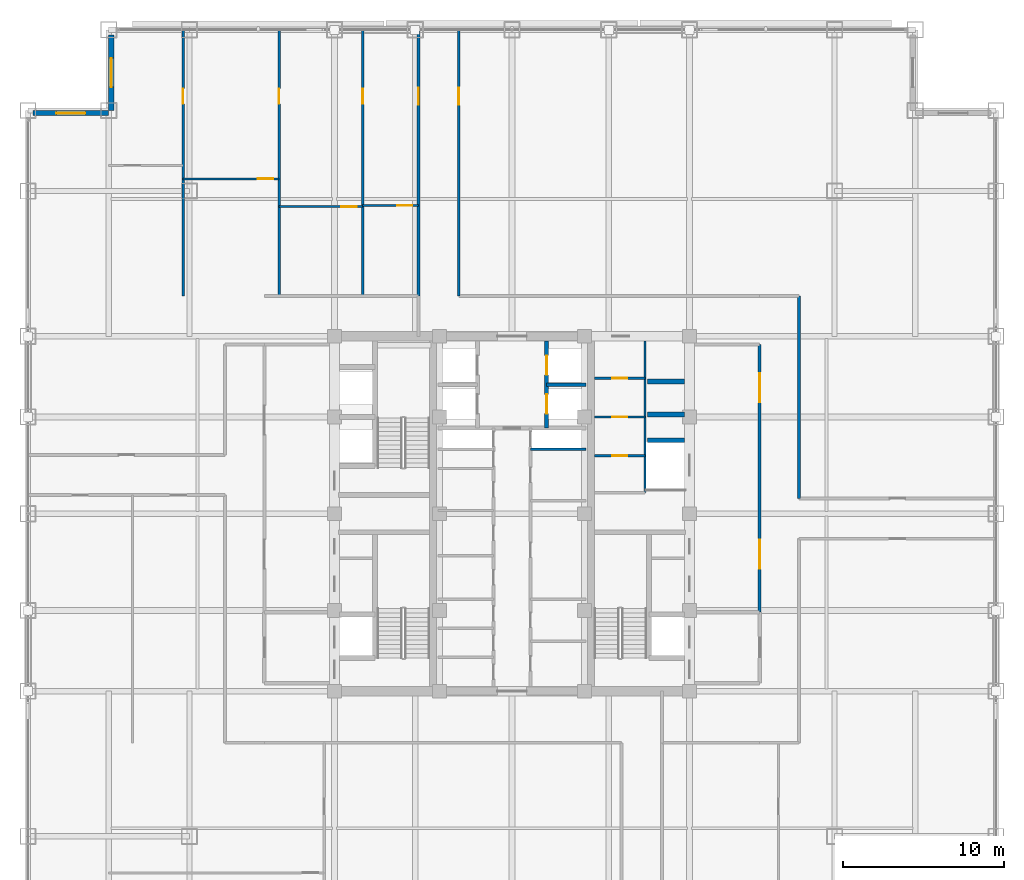
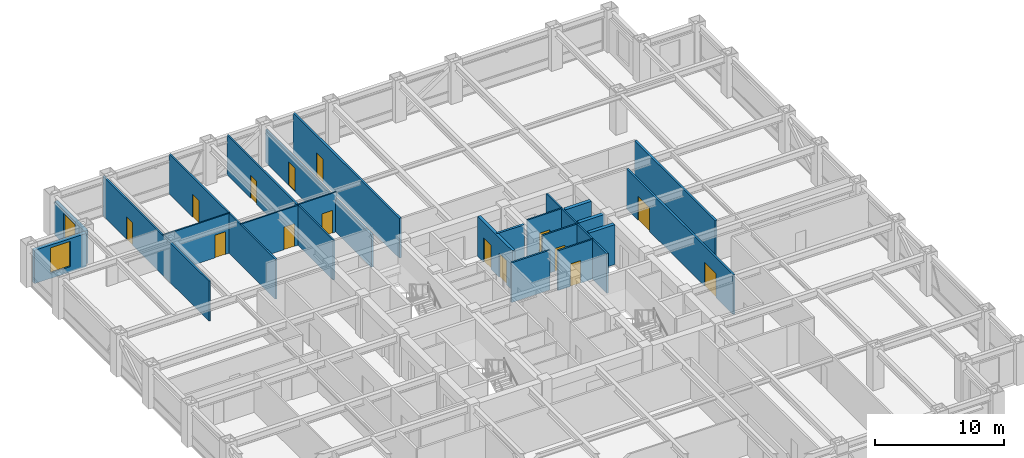
# One storey, part 23 of 29: 22 walls, 15 doors, 2 windows, 17 openings.
"""IFC4 building model written with IfcOpenShell, lengths in metres."""

from ifc_helpers import new_model, si_unit, direction, frame, frame_2d, origin, place, context, subcontext, project, spatial, rectangle, extrude, source, transform, mapped, material, layer, layer_set, type_object, element, fill, save


model = new_model("IFC4")

# Units and contexts
model_context = context("Model", 3, precision=1e-05, world=origin(), true_north=direction((0.0, 1.0)))
body_context = subcontext(model_context, "Body", "Model", "MODEL_VIEW")
ifc_project = project(units=[si_unit("LENGTHUNIT", "METRE"), si_unit("AREAUNIT", "SQUARE_METRE"), si_unit("VOLUMEUNIT", "CUBIC_METRE"), si_unit("PLANEANGLEUNIT", "RADIAN"), si_unit("MASSUNIT", "GRAM", prefix="KILO")], contexts=[model_context])

# Site, building, storey
site_placement = place(None, origin())
site = spatial("IfcSite", under=ifc_project, at=site_placement, CompositionType="ELEMENT")
building_placement = place(site_placement, origin())
building = spatial("IfcBuilding", under=site, at=building_placement, Name="Khorayat Bourse Tower", CompositionType="ELEMENT")
storey_placement = place(building_placement, frame((0.0, 0.0, 243.10009765625)))
storey = spatial("IfcBuildingStorey", under=building, at=storey_placement, Name="L57", CompositionType="ELEMENT", Elevation=243.10009765625)

# Wall, opening, window
ifc_material_1 = material(Name="Precast concrete C45/55", Category="concrete")
ifc_layer_1 = layer(ifc_material_1, 0.320068359375)
ifc_layer_set_1 = layer_set([ifc_layer_1], Name="Precast concrete C45/55")
wall_type_1 = type_object("IfcWallType", Name="WAL-EXT-STONE-320", PredefinedType="STANDARD", material=ifc_layer_set_1)
shared_shape_1 = source(origin(), body_context, "Body", "SweptSolid", [
    extrude(rectangle(XDim=4.679931640625, YDim=0.320068359375, at=frame_2d((2.33984375, 0.0))), origin(), (0.0, 0.0, 1.0), 3.163818359375),
])
wall_1_placement = place(storey_placement, frame((-24.840087890625, 25.0, 0.0), z_axis=(0.0, 0.0, 1.0), x_axis=(0.0, 1.0, 0.0)))
wall_1 = element("IfcWall", 1, at=wall_1_placement, inside=storey, type_object=wall_type_1, Name="L57 Re-Entrant Notch Limestone Wall NW-V", PredefinedType="STANDARD", context=body_context, shape_type="MappedRepresentation", body=[
    mapped(shared_shape_1, transform((0.0, 0.0, 0.0), scale=1.0)),
])
shared_shape_2 = source(origin(), body_context, "Body", "SweptSolid", [
    extrude(rectangle(XDim=1.800048828125, YDim=2.39990234375, at=frame_2d((0.89990234375, 1.199951171875))), frame((0.0, 0.169921875, 0.0), z_axis=(0.0, -1.0, 0.0), x_axis=(1.0, 0.0, 0.0)), (0.0, 0.0, 1.0), 0.340087890625),
])
opening_1_placement = place(wall_1_placement, frame((1.43994140625, 0.0, 0.5)))
opening_1 = element("IfcOpeningElement", 2, at=opening_1_placement, cuts=wall_1, Name="Opening WN-04", PredefinedType="OPENING", context=body_context, shape_type="MappedRepresentation", body=[
    mapped(shared_shape_2, transform((0.0, 0.0, 0.0), scale=1.0)),
])
ifc_material_2 = material(Name="Low-E acoustic laminated double glazing", Category="glass")
window_type = type_object("IfcWindowType", Name="WIN-NOTCH-1800x2400", PartitioningType="SINGLE_PANEL", PredefinedType="WINDOW", material=ifc_material_2)
shared_shape_3 = source(origin(), body_context, "Body", "SweptSolid", [
    extrude(rectangle(XDim=1.800048828125, YDim=2.39990234375, at=frame_2d((0.89990234375, 1.199951171875))), frame((0.0, 0.030029296875, 0.0), z_axis=(0.0, -1.0, 0.0), x_axis=(1.0, 0.0, 0.0)), (0.0, 0.0, 1.0), 0.06005859375),
])
window_1_placement = place(opening_1_placement, origin())
window_1 = element("IfcWindow", 3, at=window_1_placement, inside=storey, type_object=window_type, Name="L57 Facade Window 1", OverallHeight=2.39990234375, OverallWidth=1.800048828125, PartitioningType="SINGLE_PANEL", PredefinedType="WINDOW", context=body_context, shape_type="MappedRepresentation", body=[
    mapped(shared_shape_3, transform((0.0, 0.0, 0.0), scale=1.0)),
])
fill(opening_1, window_1)

wall_2_placement = place(storey_placement, frame((-25.0, 24.840087890625, 0.0), z_axis=(0.0, 0.0, 1.0), x_axis=(-1.0, 0.0, 0.0)))
wall_2 = element("IfcWall", 4, at=wall_2_placement, inside=storey, type_object=wall_type_1, Name="L57 Re-Entrant Notch Limestone Wall NW-H", PredefinedType="STANDARD", context=body_context, shape_type="MappedRepresentation", body=[
    mapped(shared_shape_1, transform((0.0, 0.0, 0.0), scale=1.0)),
])
opening_2_placement = place(wall_2_placement, frame((1.43994140625, 0.0, 0.5)))
opening_2 = element("IfcOpeningElement", 5, at=opening_2_placement, cuts=wall_2, Name="Opening WN-04", PredefinedType="OPENING", context=body_context, shape_type="MappedRepresentation", body=[
    mapped(shared_shape_2, transform((0.0, 0.0, 0.0), scale=1.0)),
])
window_2_placement = place(opening_2_placement, origin())
window_2 = element("IfcWindow", 6, at=window_2_placement, inside=storey, type_object=window_type, Name="L57 Facade Window 1", OverallHeight=2.39990234375, OverallWidth=1.800048828125, PartitioningType="SINGLE_PANEL", PredefinedType="WINDOW", context=body_context, shape_type="MappedRepresentation", body=[
    mapped(shared_shape_3, transform((0.0, 0.0, 0.0), scale=1.0)),
])
fill(opening_2, window_2)

# Walls
ifc_material_3 = material(Name="Concrete C50/60", Category="concrete")
ifc_layer_2 = layer(ifc_material_3, 0.300048828125)
ifc_layer_set_2 = layer_set([ifc_layer_2], Name="Concrete C50/60")
wall_type_2 = type_object("IfcWallType", Name="WAL-SHAFT-300", PredefinedType="SHEAR", material=ifc_layer_set_2)
shared_shape_4 = source(origin(), body_context, "Body", "SweptSolid", [
    extrude(rectangle(XDim=2.300048828125, YDim=0.300048828125, at=frame_2d((1.14990234375, 0.0))), origin(), (0.0, 0.0, 1.0), 3.77978515625),
])
for number, where, z_axis, x_axis, name in (
    (7, (8.39990234375, 4.550048828125, 0.0), (0.0, 0.0, 1.0), (1.0, 0.0, 0.0), "L57 Partition WAL-L57-EPIER-SVLN"),
    (8, (8.39990234375, 6.14990234375, 0.0), (0.0, 0.0, 1.0), (1.0, 0.0, 0.0), "L57 Partition WAL-L57-EPIER-H3S"),
    (9, (8.39990234375, 8.199951171875, 0.0), (0.0, 0.0, 1.0), (1.0, 0.0, 0.0), "L57 Partition WAL-L57-EPIER-H34"),
):
    element("IfcWall", number, at=place(storey_placement, frame(where, z_axis=z_axis, x_axis=x_axis)), inside=storey, type_object=wall_type_2, Name=name, PredefinedType="SHEAR", context=body_context, shape_type="MappedRepresentation", body=[
        mapped(shared_shape_4, transform((0.0, 0.0, 0.0), scale=1.0)),
    ])
ifc_material_4 = material(Name="Moisture-resistant masonry partition", Category="masonry")
ifc_layer_3 = layer(ifc_material_4, 0.139892578125)
ifc_layer_set_3 = layer_set([ifc_layer_3], Name="Moisture-resistant masonry partition")
wall_type_3 = type_object("IfcWallType", Name="WAL-PART-WET-140", PredefinedType="PARTITIONING", material=ifc_layer_set_3)
shared_shape_5 = source(origin(), body_context, "Body", "SweptSolid", [
    extrude(rectangle(XDim=9.39990234375, YDim=0.139892578125, at=frame_2d((4.699951171875, 0.0))), origin(), (0.0, 0.0, 1.0), 3.77978515625),
])
wall_3_placement = place(storey_placement, frame((8.25, 1.300048828125, 0.0), z_axis=(0.0, 0.0, 1.0), x_axis=(0.0, 1.0, 0.0)))
element("IfcWall", 10, at=wall_3_placement, inside=storey, type_object=wall_type_3, Name="L57 Partition WAL-L57-ECORE-E", PredefinedType="PARTITIONING", context=body_context, shape_type="MappedRepresentation", body=[
    mapped(shared_shape_5, transform((0.0, 0.0, 0.0), scale=1.0)),
])

# Wall, opening, door
shared_shape_6 = source(origin(), body_context, "Body", "SweptSolid", [
    extrude(rectangle(XDim=3.14990234375, YDim=0.139892578125, at=frame_2d((1.574951171875, 0.0))), origin(), (0.0, 0.0, 1.0), 3.77978515625),
])
wall_4_placement = place(storey_placement, frame((5.10009765625, 8.39990234375, 0.0), z_axis=(0.0, 0.0, 1.0), x_axis=(1.0, 0.0, 0.0)))
wall_4 = element("IfcWall", 11, at=wall_4_placement, inside=storey, type_object=wall_type_3, Name="L57 Partition WAL-L57-ECW-TOP", PredefinedType="PARTITIONING", context=body_context, shape_type="MappedRepresentation", body=[
    mapped(shared_shape_6, transform((0.0, 0.0, 0.0), scale=1.0)),
])
shared_shape_7 = source(origin(), body_context, "Body", "SweptSolid", [
    extrude(rectangle(XDim=0.89990234375, YDim=2.14990234375, at=frame_2d((0.449951171875, 1.074951171875))), frame((0.0, 0.079833984375, 0.0), z_axis=(0.0, -1.0, 0.0), x_axis=(1.0, 0.0, 0.0)), (0.0, 0.0, 1.0), 0.159912109375),
])
opening_3_placement = place(wall_4_placement, frame((1.1298828125, 0.0, 0.0)))
opening_3 = element("IfcOpeningElement", 12, at=opening_3_placement, cuts=wall_4, Name="Opening DI-06", PredefinedType="OPENING", context=body_context, shape_type="MappedRepresentation", body=[
    mapped(shared_shape_7, transform((0.0, 0.0, 0.0), scale=1.0)),
])
ifc_material_5 = material(Name="Moisture-resistant laminate washroom door")
door_type_1 = type_object("IfcDoorType", Name="DR-INT-WC-900", OperationType="NOTDEFINED", PredefinedType="DOOR", material=ifc_material_5)
shared_shape_8 = source(origin(), body_context, "Body", "SweptSolid", [
    extrude(rectangle(XDim=0.89990234375, YDim=2.14990234375, at=frame_2d((0.449951171875, 1.074951171875))), frame((0.0, 0.02490234375, 0.0), z_axis=(0.0, -1.0, 0.0), x_axis=(1.0, 0.0, 0.0)), (0.0, 0.0, 1.0), 0.050048828125),
])
door_1_placement = place(opening_3_placement, origin())
door_1 = element("IfcDoor", 13, at=door_1_placement, inside=storey, type_object=door_type_1, Name="L57 Accessible WC Door", OperationType="SINGLE_SWING_LEFT", OverallHeight=2.14990234375, OverallWidth=0.89990234375, PredefinedType="DOOR", context=body_context, shape_type="MappedRepresentation", body=[
    mapped(shared_shape_8, transform((0.0, 0.0, 0.0), scale=1.0)),
])
fill(opening_3, door_1)

wall_5_placement = place(storey_placement, frame((5.10009765625, 6.0, 0.0), z_axis=(0.0, 0.0, 1.0), x_axis=(1.0, 0.0, 0.0)))
wall_5 = element("IfcWall", 14, at=wall_5_placement, inside=storey, type_object=wall_type_3, Name="L57 Partition WAL-L57-ECW-H1", PredefinedType="PARTITIONING", context=body_context, shape_type="MappedRepresentation", body=[
    mapped(shared_shape_6, transform((0.0, 0.0, 0.0), scale=1.0)),
])
opening_4_placement = place(wall_5_placement, frame((1.1298828125, 0.0, 0.0)))
opening_4 = element("IfcOpeningElement", 15, at=opening_4_placement, cuts=wall_5, Name="Opening DI-06", PredefinedType="OPENING", context=body_context, shape_type="MappedRepresentation", body=[
    mapped(shared_shape_7, transform((0.0, 0.0, 0.0), scale=1.0)),
])
door_2_placement = place(opening_4_placement, origin())
door_2 = element("IfcDoor", 16, at=door_2_placement, inside=storey, type_object=door_type_1, Name="L57 Shared Washroom Door", OperationType="SINGLE_SWING_RIGHT", OverallHeight=2.14990234375, OverallWidth=0.89990234375, PredefinedType="DOOR", context=body_context, shape_type="MappedRepresentation", body=[
    mapped(shared_shape_8, transform((0.0, 0.0, 0.0), scale=1.0)),
])
fill(opening_4, door_2)

wall_6_placement = place(storey_placement, frame((5.10009765625, 3.60009765625, 0.0), z_axis=(0.0, 0.0, 1.0), x_axis=(1.0, 0.0, 0.0)))
wall_6 = element("IfcWall", 17, at=wall_6_placement, inside=storey, type_object=wall_type_3, Name="L57 Partition WAL-L57-ECW-H2", PredefinedType="PARTITIONING", context=body_context, shape_type="MappedRepresentation", body=[
    mapped(shared_shape_6, transform((0.0, 0.0, 0.0), scale=1.0)),
])
opening_5_placement = place(wall_6_placement, frame((1.1298828125, 0.0, 0.0)))
opening_5 = element("IfcOpeningElement", 18, at=opening_5_placement, cuts=wall_6, Name="Opening DI-06", PredefinedType="OPENING", context=body_context, shape_type="MappedRepresentation", body=[
    mapped(shared_shape_7, transform((0.0, 0.0, 0.0), scale=1.0)),
])
door_3_placement = place(opening_5_placement, origin())
door_3 = element("IfcDoor", 19, at=door_3_placement, inside=storey, type_object=door_type_1, Name="L57 Staff Washroom Door", OperationType="SINGLE_SWING_LEFT", OverallHeight=2.14990234375, OverallWidth=0.89990234375, PredefinedType="DOOR", context=body_context, shape_type="MappedRepresentation", body=[
    mapped(shared_shape_8, transform((0.0, 0.0, 0.0), scale=1.0)),
])
fill(opening_5, door_3)

# Wall, openings, doors
ifc_material_6 = material(Name="Gypsum plasterboard acoustic stud wall")
ifc_layer_4 = layer(ifc_material_6, 0.179931640625)
ifc_layer_set_4 = layer_set([ifc_layer_4], Name="Gypsum plasterboard acoustic stud wall")
wall_type_4 = type_object("IfcWallType", Name="WAL-PART-CORR-180", PredefinedType="PARTITIONING", material=ifc_layer_set_4)
shared_shape_9 = source(origin(), body_context, "Body", "SweptSolid", [
    extrude(rectangle(XDim=16.60009765625, YDim=0.179931640625, at=frame_2d((8.300048828125, 0.0))), origin(), (0.0, 0.0, 1.0), 3.77978515625),
])
wall_7_placement = place(storey_placement, frame((15.35009765625, -6.10009765625, 0.0), z_axis=(0.0, 0.0, 1.0), x_axis=(0.0, 1.0, 0.0)))
wall_7 = element("IfcWall", 20, at=wall_7_placement, inside=storey, type_object=wall_type_4, Name="L57 Partition WAL-L57-ELOB-E", PredefinedType="PARTITIONING", context=body_context, shape_type="MappedRepresentation", body=[
    mapped(shared_shape_9, transform((0.0, 0.0, 0.0), scale=1.0)),
])
shared_shape_10 = source(origin(), body_context, "Body", "SweptSolid", [
    extrude(rectangle(XDim=1.800048828125, YDim=2.25, at=frame_2d((0.89990234375, 1.125))), frame((0.0, 0.099853515625, 0.0), z_axis=(0.0, -1.0, 0.0), x_axis=(1.0, 0.0, 0.0)), (0.0, 0.0, 1.0), 0.199951171875),
])
opening_6_placement = place(wall_7_placement, frame((2.699951171875, 0.0, 0.0)))
opening_6 = element("IfcOpeningElement", 21, at=opening_6_placement, cuts=wall_7, Name="Opening DI-03", PredefinedType="OPENING", context=body_context, shape_type="MappedRepresentation", body=[
    mapped(shared_shape_10, transform((0.0, 0.0, 0.0), scale=1.0)),
])
opening_7_placement = place(wall_7_placement, frame((13.0, 0.0, 0.0)))
opening_7 = element("IfcOpeningElement", 22, at=opening_7_placement, cuts=wall_7, Name="Opening DI-03", PredefinedType="OPENING", context=body_context, shape_type="MappedRepresentation", body=[
    mapped(shared_shape_10, transform((0.0, 0.0, 0.0), scale=1.0)),
])
ifc_material_7 = material(Name="Fire-rated hardwood vision-panel double leaf", Category="wood")
door_type_2 = type_object("IfcDoorType", Name="DR-INT-CORR-1800", OperationType="NOTDEFINED", PredefinedType="DOOR", material=ifc_material_7)
shared_shape_11 = source(origin(), body_context, "Body", "SweptSolid", [
    extrude(rectangle(XDim=1.800048828125, YDim=2.25, at=frame_2d((0.89990234375, 1.125))), frame((0.0, 0.02490234375, 0.0), z_axis=(0.0, -1.0, 0.0), x_axis=(1.0, 0.0, 0.0)), (0.0, 0.0, 1.0), 0.050048828125),
])
door_4_placement = place(opening_6_placement, origin())
door_4 = element("IfcDoor", 23, at=door_4_placement, inside=storey, type_object=door_type_2, Name="L57 East Core Lobby South Door", OperationType="SINGLE_SWING_RIGHT", OverallHeight=2.25, OverallWidth=1.800048828125, PredefinedType="DOOR", context=body_context, shape_type="MappedRepresentation", body=[
    mapped(shared_shape_11, transform((0.0, 0.0, 0.0), scale=1.0)),
])
fill(opening_6, door_4)
door_5_placement = place(opening_7_placement, origin())
door_5 = element("IfcDoor", 24, at=door_5_placement, inside=storey, type_object=door_type_2, Name="L57 East Core Lobby North Door", OperationType="SINGLE_SWING_LEFT", OverallHeight=2.25, OverallWidth=1.800048828125, PredefinedType="DOOR", context=body_context, shape_type="MappedRepresentation", body=[
    mapped(shared_shape_11, transform((0.0, 0.0, 0.0), scale=1.0)),
])
fill(opening_7, door_5)

# Wall
ifc_material_8 = material(Name="Gypsum plasterboard twin-frame partition")
ifc_layer_5 = layer(ifc_material_8, 0.14990234375)
ifc_layer_set_5 = layer_set([ifc_layer_5], Name="Gypsum plasterboard twin-frame partition")
wall_type_5 = type_object("IfcWallType", Name="WAL-PART-SUITE-150", PredefinedType="PARTITIONING", material=ifc_layer_set_5)
shared_shape_12 = source(origin(), body_context, "Body", "SweptSolid", [
    extrude(rectangle(XDim=3.4501953125, YDim=0.14990234375, at=frame_2d((1.72509765625, 0.0))), origin(), (0.0, 0.0, 1.0), 3.77978515625),
])
wall_8_placement = place(storey_placement, frame((1.14990234375, 4.0, 0.0), z_axis=(0.0, 0.0, 1.0), x_axis=(1.0, 0.0, 0.0)))
element("IfcWall", 25, at=wall_8_placement, inside=storey, type_object=wall_type_5, Name="L57 Partition WAL-L57-CRSE-S", PredefinedType="PARTITIONING", context=body_context, shape_type="MappedRepresentation", body=[
    mapped(shared_shape_12, transform((0.0, 0.0, 0.0), scale=1.0)),
])

# Wall, openings, doors
shared_shape_13 = source(origin(), body_context, "Body", "SweptSolid", [
    extrude(rectangle(XDim=5.39990234375, YDim=0.25, at=frame_2d((2.699951171875, 0.0))), origin(), (0.0, 0.0, 1.0), 3.77978515625),
])
wall_9_placement = place(storey_placement, frame((2.14990234375, 5.300048828125, 0.0), z_axis=(0.0, 0.0, 1.0), x_axis=(0.0, 1.0, 0.0)))
wall_9 = element("IfcWall", 26, at=wall_9_placement, inside=storey, type_object=wall_type_2, Name="L57 Partition WAL-L57-B2-E", PredefinedType="SHEAR", context=body_context, shape_type="MappedRepresentation", body=[
    mapped(shared_shape_13, transform((0.0, 0.0, 0.0), scale=1.0)),
])
shared_shape_14 = source(origin(), body_context, "Body", "SweptSolid", [
    extrude(rectangle(XDim=1.199951171875, YDim=2.300048828125, at=frame_2d((0.60009765625, 1.14990234375))), frame((0.0, 0.135009765625, 0.0), z_axis=(0.0, -1.0, 0.0), x_axis=(1.0, 0.0, 0.0)), (0.0, 0.0, 1.0), 0.27001953125),
])
opening_8_placement = place(wall_9_placement, frame((3.300048828125, 0.0, 0.0)))
opening_8 = element("IfcOpeningElement", 27, at=opening_8_placement, cuts=wall_9, Name="Opening LD-01", PredefinedType="OPENING", context=body_context, shape_type="MappedRepresentation", body=[
    mapped(shared_shape_14, transform((0.0, 0.0, 0.0), scale=1.0)),
])
opening_9_placement = place(wall_9_placement, frame((0.89990234375, 0.0, 0.0)))
opening_9 = element("IfcOpeningElement", 28, at=opening_9_placement, cuts=wall_9, Name="Opening LD-01", PredefinedType="OPENING", context=body_context, shape_type="MappedRepresentation", body=[
    mapped(shared_shape_14, transform((0.0, 0.0, 0.0), scale=1.0)),
])
ifc_material_9 = material(Name="Brushed bronze stainless-steel sliding door", Category="steel")
door_type_3 = type_object("IfcDoorType", Name="DR-LIFT-PASS-1200", OperationType="NOTDEFINED", PredefinedType="DOOR", material=ifc_material_9)
shared_shape_15 = source(origin(), body_context, "Body", "SweptSolid", [
    extrude(rectangle(XDim=1.199951171875, YDim=2.300048828125, at=frame_2d((0.60009765625, 1.14990234375))), frame((0.0, 0.02490234375, 0.0), z_axis=(0.0, -1.0, 0.0), x_axis=(1.0, 0.0, 0.0)), (0.0, 0.0, 1.0), 0.050048828125),
])
door_6_placement = place(opening_8_placement, origin())
door_6 = element("IfcDoor", 29, at=door_6_placement, inside=storey, type_object=door_type_3, Name="L57 Lift PL-M2 Sliding Landing Door", OperationType="SLIDING_TO_LEFT", OverallHeight=2.300048828125, OverallWidth=1.199951171875, PredefinedType="DOOR", context=body_context, shape_type="MappedRepresentation", body=[
    mapped(shared_shape_15, transform((0.0, 0.0, 0.0), scale=1.0)),
])
fill(opening_8, door_6)
door_7_placement = place(opening_9_placement, origin())
door_7 = element("IfcDoor", 30, at=door_7_placement, inside=storey, type_object=door_type_3, Name="L57 Lift PL-M4 Sliding Landing Door", OperationType="SLIDING_TO_LEFT", OverallHeight=2.300048828125, OverallWidth=1.199951171875, PredefinedType="DOOR", context=body_context, shape_type="MappedRepresentation", body=[
    mapped(shared_shape_15, transform((0.0, 0.0, 0.0), scale=1.0)),
])
fill(opening_9, door_7)

# Wall
shared_shape_16 = source(origin(), body_context, "Body", "SweptSolid", [
    extrude(rectangle(XDim=2.4501953125, YDim=0.199951171875, at=frame_2d((1.22509765625, 0.0))), origin(), (0.0, 0.0, 1.0), 3.77978515625),
])
wall_10_placement = place(storey_placement, frame((2.14990234375, 8.0, 0.0), z_axis=(0.0, 0.0, 1.0), x_axis=(1.0, 0.0, 0.0)))
element("IfcWall", 31, at=wall_10_placement, inside=storey, type_object=wall_type_2, Name="L57 Partition WAL-L57-B2-ME", PredefinedType="SHEAR", context=body_context, shape_type="MappedRepresentation", body=[
    mapped(shared_shape_16, transform((0.0, 0.0, 0.0), scale=1.0)),
])

# Wall, opening, door
shared_shape_17 = source(origin(), body_context, "Body", "SweptSolid", [
    extrude(rectangle(XDim=16.5, YDim=0.179931640625, at=frame_2d((8.25, 0.0))), origin(), (0.0, 0.0, 1.0), 3.77978515625),
])
wall_11_placement = place(storey_placement, frame((-3.300048828125, 13.5, 0.0), z_axis=(0.0, 0.0, 1.0), x_axis=(0.0, 1.0, 0.0)))
wall_11 = element("IfcWall", 32, at=wall_11_placement, inside=storey, type_object=wall_type_4, Name="L57 Partition WAL-L57-QNE-SPK", PredefinedType="PARTITIONING", context=body_context, shape_type="MappedRepresentation", body=[
    mapped(shared_shape_17, transform((0.0, 0.0, 0.0), scale=1.0)),
])
shared_shape_18 = source(origin(), body_context, "Body", "SweptSolid", [
    extrude(rectangle(XDim=1.050048828125, YDim=2.199951171875, at=frame_2d((0.52490234375, 1.10009765625))), frame((0.0, 0.099853515625, 0.0), z_axis=(0.0, -1.0, 0.0), x_axis=(1.0, 0.0, 0.0)), (0.0, 0.0, 1.0), 0.199951171875),
])
opening_10_placement = place(wall_11_placement, frame((11.85009765625, 0.0, 0.0)))
opening_10 = element("IfcOpeningElement", 33, at=opening_10_placement, cuts=wall_11, Name="Opening DI-04", PredefinedType="OPENING", context=body_context, shape_type="MappedRepresentation", body=[
    mapped(shared_shape_18, transform((0.0, 0.0, 0.0), scale=1.0)),
])
ifc_material_10 = material(Name="Fire-rated oak veneer suite entrance door")
door_type_4 = type_object("IfcDoorType", Name="DR-INT-SUITE-1050", OperationType="NOTDEFINED", PredefinedType="DOOR", material=ifc_material_10)
shared_shape_19 = source(origin(), body_context, "Body", "SweptSolid", [
    extrude(rectangle(XDim=1.050048828125, YDim=2.199951171875, at=frame_2d((0.52490234375, 1.10009765625))), frame((0.0, 0.02490234375, 0.0), z_axis=(0.0, -1.0, 0.0), x_axis=(1.0, 0.0, 0.0)), (0.0, 0.0, 1.0), 0.050048828125),
])
door_8_placement = place(opening_10_placement, origin())
door_8 = element("IfcDoor", 34, at=door_8_placement, inside=storey, type_object=door_type_4, Name="L57 North-East Radial Spoke Entry", OperationType="SINGLE_SWING_LEFT", OverallHeight=2.199951171875, OverallWidth=1.050048828125, PredefinedType="DOOR", context=body_context, shape_type="MappedRepresentation", body=[
    mapped(shared_shape_19, transform((0.0, 0.0, 0.0), scale=1.0)),
])
fill(opening_10, door_8)

shared_shape_20 = source(origin(), body_context, "Body", "SweptSolid", [
    extrude(rectangle(XDim=16.5, YDim=0.14990234375, at=frame_2d((8.25, 0.0))), origin(), (0.0, 0.0, 1.0), 3.77978515625),
])
wall_12_placement = place(storey_placement, frame((-20.39208984375, 13.5, 0.0), z_axis=(0.0, 0.0, 1.0), x_axis=(0.0, 1.0, 0.0)))
wall_12 = element("IfcWall", 35, at=wall_12_placement, inside=storey, type_object=wall_type_5, Name="L57 Partition WAL-L57-QNWDV-1", PredefinedType="PARTITIONING", context=body_context, shape_type="MappedRepresentation", body=[
    mapped(shared_shape_20, transform((0.0, 0.0, 0.0), scale=1.0)),
])
shared_shape_21 = source(origin(), body_context, "Body", "SweptSolid", [
    extrude(rectangle(XDim=0.949951171875, YDim=2.14990234375, at=frame_2d((0.47509765625, 1.074951171875))), frame((0.0, 0.0849609375, 0.0), z_axis=(0.0, -1.0, 0.0), x_axis=(1.0, 0.0, 0.0)), (0.0, 0.0, 1.0), 0.169921875),
])
opening_11_placement = place(wall_12_placement, frame((11.89990234375, 0.0, 0.0)))
opening_11 = element("IfcOpeningElement", 36, at=opening_11_placement, cuts=wall_12, Name="Opening DI-05", PredefinedType="OPENING", context=body_context, shape_type="MappedRepresentation", body=[
    mapped(shared_shape_21, transform((0.0, 0.0, 0.0), scale=1.0)),
])
ifc_material_11 = material(Name="Acoustic oak veneer office door")
door_type_5 = type_object("IfcDoorType", Name="DR-INT-OFFICE-950", OperationType="NOTDEFINED", PredefinedType="DOOR", material=ifc_material_11)
shared_shape_22 = source(origin(), body_context, "Body", "SweptSolid", [
    extrude(rectangle(XDim=0.949951171875, YDim=2.14990234375, at=frame_2d((0.47509765625, 1.074951171875))), frame((0.0, 0.02490234375, 0.0), z_axis=(0.0, -1.0, 0.0), x_axis=(1.0, 0.0, 0.0)), (0.0, 0.0, 1.0), 0.050048828125),
])
door_9_placement = place(opening_11_placement, origin())
door_9 = element("IfcDoor", 37, at=door_9_placement, inside=storey, type_object=door_type_5, Name="L57 North-West Suite Link 1", OperationType="SINGLE_SWING_RIGHT", OverallHeight=2.14990234375, OverallWidth=0.949951171875, PredefinedType="DOOR", context=body_context, shape_type="MappedRepresentation", body=[
    mapped(shared_shape_22, transform((0.0, 0.0, 0.0), scale=1.0)),
])
fill(opening_11, door_9)

wall_13_placement = place(storey_placement, frame((-14.43994140625, 13.5, 0.0), z_axis=(0.0, 0.0, 1.0), x_axis=(0.0, 1.0, 0.0)))
wall_13 = element("IfcWall", 38, at=wall_13_placement, inside=storey, type_object=wall_type_5, Name="L57 Partition WAL-L57-QNWDV-2", PredefinedType="PARTITIONING", context=body_context, shape_type="MappedRepresentation", body=[
    mapped(shared_shape_20, transform((0.0, 0.0, 0.0), scale=1.0)),
])
opening_12_placement = place(wall_13_placement, frame((11.89990234375, 0.0, 0.0)))
opening_12 = element("IfcOpeningElement", 39, at=opening_12_placement, cuts=wall_13, Name="Opening DI-05", PredefinedType="OPENING", context=body_context, shape_type="MappedRepresentation", body=[
    mapped(shared_shape_21, transform((0.0, 0.0, 0.0), scale=1.0)),
])
door_10_placement = place(opening_12_placement, origin())
door_10 = element("IfcDoor", 40, at=door_10_placement, inside=storey, type_object=door_type_5, Name="L57 North-West Suite Link 2", OperationType="SINGLE_SWING_LEFT", OverallHeight=2.14990234375, OverallWidth=0.949951171875, PredefinedType="DOOR", context=body_context, shape_type="MappedRepresentation", body=[
    mapped(shared_shape_22, transform((0.0, 0.0, 0.0), scale=1.0)),
])
fill(opening_12, door_10)

wall_14_placement = place(storey_placement, frame((-9.256103515625, 13.5, 0.0), z_axis=(0.0, 0.0, 1.0), x_axis=(0.0, 1.0, 0.0)))
wall_14 = element("IfcWall", 41, at=wall_14_placement, inside=storey, type_object=wall_type_5, Name="L57 Partition WAL-L57-QNWDV-3", PredefinedType="PARTITIONING", context=body_context, shape_type="MappedRepresentation", body=[
    mapped(shared_shape_20, transform((0.0, 0.0, 0.0), scale=1.0)),
])
opening_13_placement = place(wall_14_placement, frame((11.89990234375, 0.0, 0.0)))
opening_13 = element("IfcOpeningElement", 42, at=opening_13_placement, cuts=wall_14, Name="Opening DI-05", PredefinedType="OPENING", context=body_context, shape_type="MappedRepresentation", body=[
    mapped(shared_shape_21, transform((0.0, 0.0, 0.0), scale=1.0)),
])
door_11_placement = place(opening_13_placement, origin())
door_11 = element("IfcDoor", 43, at=door_11_placement, inside=storey, type_object=door_type_5, Name="L57 North-West Suite Link 3", OperationType="SINGLE_SWING_RIGHT", OverallHeight=2.14990234375, OverallWidth=0.949951171875, PredefinedType="DOOR", context=body_context, shape_type="MappedRepresentation", body=[
    mapped(shared_shape_22, transform((0.0, 0.0, 0.0), scale=1.0)),
])
fill(opening_13, door_11)

ifc_material_12 = material(Name="Gypsum plasterboard partition")
ifc_layer_6 = layer(ifc_material_12, 0.125)
ifc_layer_set_6 = layer_set([ifc_layer_6], Name="Gypsum plasterboard partition")
wall_type_6 = type_object("IfcWallType", Name="WAL-PART-ROOM-125", PredefinedType="PARTITIONING", material=ifc_layer_set_6)
shared_shape_23 = source(origin(), body_context, "Body", "SweptSolid", [
    extrude(rectangle(XDim=5.9521484375, YDim=0.125, at=frame_2d((2.97607421875, 0.0))), origin(), (0.0, 0.0, 1.0), 3.77978515625),
])
wall_15_placement = place(storey_placement, frame((-20.39208984375, 20.760009765625, 0.0), z_axis=(0.0, 0.0, 1.0), x_axis=(1.0, 0.0, 0.0)))
wall_15 = element("IfcWall", 44, at=wall_15_placement, inside=storey, type_object=wall_type_6, Name="L57 Partition WAL-L57-QNWDP-2", PredefinedType="PARTITIONING", context=body_context, shape_type="MappedRepresentation", body=[
    mapped(shared_shape_23, transform((0.0, 0.0, 0.0), scale=1.0)),
])
shared_shape_24 = source(origin(), body_context, "Body", "SweptSolid", [
    extrude(rectangle(XDim=0.949951171875, YDim=2.14990234375, at=frame_2d((0.47509765625, 1.074951171875))), frame((0.0, 0.072509765625, 0.0), z_axis=(0.0, -1.0, 0.0), x_axis=(1.0, 0.0, 0.0)), (0.0, 0.0, 1.0), 0.14501953125),
])
opening_14_placement = place(wall_15_placement, frame((4.626953125, 0.0, 0.0)))
opening_14 = element("IfcOpeningElement", 45, at=opening_14_placement, cuts=wall_15, Name="Opening DI-05", PredefinedType="OPENING", context=body_context, shape_type="MappedRepresentation", body=[
    mapped(shared_shape_24, transform((0.0, 0.0, 0.0), scale=1.0)),
])
door_12_placement = place(opening_14_placement, origin())
door_12 = element("IfcDoor", 46, at=door_12_placement, inside=storey, type_object=door_type_5, Name="L57 North-West Market Reference Library 2B Door", OperationType="SINGLE_SWING_LEFT", OverallHeight=2.14990234375, OverallWidth=0.949951171875, PredefinedType="DOOR", context=body_context, shape_type="MappedRepresentation", body=[
    mapped(shared_shape_22, transform((0.0, 0.0, 0.0), scale=1.0)),
])
fill(opening_14, door_12)

shared_shape_25 = source(origin(), body_context, "Body", "SweptSolid", [
    extrude(rectangle(XDim=5.183837890625, YDim=0.125, at=frame_2d((2.591796875, 0.0))), origin(), (0.0, 0.0, 1.0), 3.77978515625),
])
wall_16_placement = place(storey_placement, frame((-14.43994140625, 19.034912109375, 0.0), z_axis=(0.0, 0.0, 1.0), x_axis=(1.0, 0.0, 0.0)))
wall_16 = element("IfcWall", 47, at=wall_16_placement, inside=storey, type_object=wall_type_6, Name="L57 Partition WAL-L57-QNWDP-3", PredefinedType="PARTITIONING", context=body_context, shape_type="MappedRepresentation", body=[
    mapped(shared_shape_25, transform((0.0, 0.0, 0.0), scale=1.0)),
])
opening_15_placement = place(wall_16_placement, frame((3.85888671875, 0.0, 0.0)))
opening_15 = element("IfcOpeningElement", 48, at=opening_15_placement, cuts=wall_16, Name="Opening DI-05", PredefinedType="OPENING", context=body_context, shape_type="MappedRepresentation", body=[
    mapped(shared_shape_24, transform((0.0, 0.0, 0.0), scale=1.0)),
])
door_13_placement = place(opening_15_placement, origin())
door_13 = element("IfcDoor", 49, at=door_13_placement, inside=storey, type_object=door_type_5, Name="L57 North-West Floor Reception Concierge 3B Door", OperationType="SINGLE_SWING_RIGHT", OverallHeight=2.14990234375, OverallWidth=0.949951171875, PredefinedType="DOOR", context=body_context, shape_type="MappedRepresentation", body=[
    mapped(shared_shape_22, transform((0.0, 0.0, 0.0), scale=1.0)),
])
fill(opening_15, door_13)

shared_shape_26 = source(origin(), body_context, "Body", "SweptSolid", [
    extrude(rectangle(XDim=3.4560546875, YDim=0.125, at=frame_2d((1.72802734375, 0.0))), origin(), (0.0, 0.0, 1.0), 3.77978515625),
])
wall_17_placement = place(storey_placement, frame((-9.256103515625, 19.110107421875, 0.0), z_axis=(0.0, 0.0, 1.0), x_axis=(1.0, 0.0, 0.0)))
wall_17 = element("IfcWall", 50, at=wall_17_placement, inside=storey, type_object=wall_type_6, Name="L57 Partition WAL-L57-QNWDP-4", PredefinedType="PARTITIONING", context=body_context, shape_type="MappedRepresentation", body=[
    mapped(shared_shape_26, transform((0.0, 0.0, 0.0), scale=1.0)),
])
opening_16_placement = place(wall_17_placement, frame((2.131103515625, 0.0, 0.0)))
opening_16 = element("IfcOpeningElement", 51, at=opening_16_placement, cuts=wall_17, Name="Opening DI-05", PredefinedType="OPENING", context=body_context, shape_type="MappedRepresentation", body=[
    mapped(shared_shape_24, transform((0.0, 0.0, 0.0), scale=1.0)),
])
door_14_placement = place(opening_16_placement, origin())
door_14 = element("IfcDoor", 52, at=door_14_placement, inside=storey, type_object=door_type_5, Name="L57 North-West Brokerage Member Kiosk 4B Door", OperationType="SINGLE_SWING_LEFT", OverallHeight=2.14990234375, OverallWidth=0.949951171875, PredefinedType="DOOR", context=body_context, shape_type="MappedRepresentation", body=[
    mapped(shared_shape_22, transform((0.0, 0.0, 0.0), scale=1.0)),
])
fill(opening_16, door_14)

shared_shape_27 = source(origin(), body_context, "Body", "SweptSolid", [
    extrude(rectangle(XDim=16.5, YDim=0.179931640625, at=frame_2d((8.25, 0.0))), origin(), (0.0, 0.0, 1.0), 3.0849609375),
])
wall_18_placement = place(storey_placement, frame((-5.800048828125, 13.5, 0.0), z_axis=(0.0, 0.0, 1.0), x_axis=(0.0, 1.0, 0.0)))
wall_18 = element("IfcWall", 53, at=wall_18_placement, inside=storey, type_object=wall_type_4, Name="L57 Partition WAL-L57-QNW-SPK", PredefinedType="PARTITIONING", context=body_context, shape_type="MappedRepresentation", body=[
    mapped(shared_shape_27, transform((0.0, 0.0, 0.0), scale=1.0)),
])
opening_17_placement = place(wall_18_placement, frame((11.85009765625, 0.0, 0.0)))
opening_17 = element("IfcOpeningElement", 54, at=opening_17_placement, cuts=wall_18, Name="Opening DI-04", PredefinedType="OPENING", context=body_context, shape_type="MappedRepresentation", body=[
    mapped(shared_shape_18, transform((0.0, 0.0, 0.0), scale=1.0)),
])
door_15_placement = place(opening_17_placement, origin())
door_15 = element("IfcDoor", 55, at=door_15_placement, inside=storey, type_object=door_type_4, Name="L57 North-West Radial Spoke Entry", OperationType="SINGLE_SWING_LEFT", OverallHeight=2.199951171875, OverallWidth=1.050048828125, PredefinedType="DOOR", context=body_context, shape_type="MappedRepresentation", body=[
    mapped(shared_shape_19, transform((0.0, 0.0, 0.0), scale=1.0)),
])
fill(opening_17, door_15)

# Wall
shared_shape_28 = source(origin(), body_context, "Body", "SweptSolid", [
    extrude(rectangle(XDim=12.550048828125, YDim=0.179931640625, at=frame_2d((6.27490234375, 0.0))), origin(), (0.0, 0.0, 1.0), 3.77978515625),
])
wall_19_placement = place(storey_placement, frame((17.800048828125, 0.949951171875, 0.0), z_axis=(0.0, 0.0, 1.0), x_axis=(0.0, 1.0, 0.0)))
element("IfcWall", 56, at=wall_19_placement, inside=storey, type_object=wall_type_4, Name="L57 Partition WAL-L57-EN-IN", PredefinedType="PARTITIONING", context=body_context, shape_type="MappedRepresentation", body=[
    mapped(shared_shape_28, transform((0.0, 0.0, 0.0), scale=1.0)),
])

save(model, "model.ifc")
